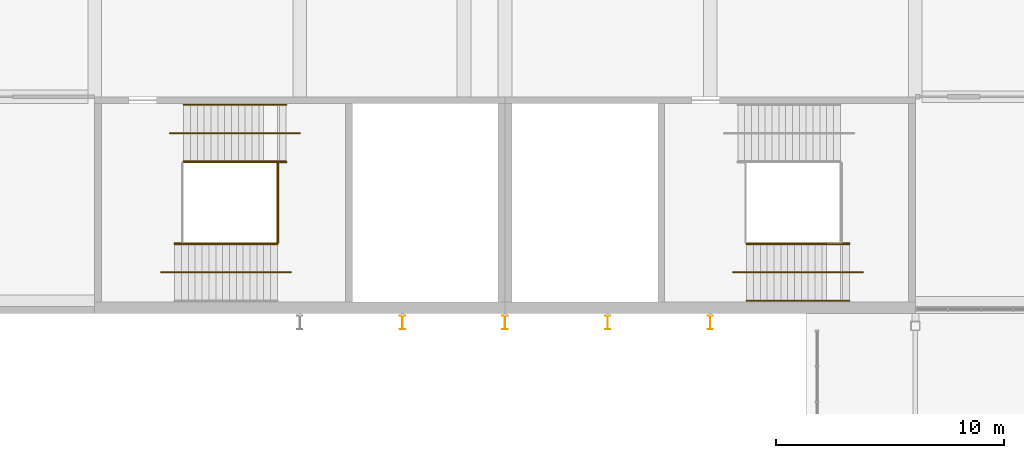
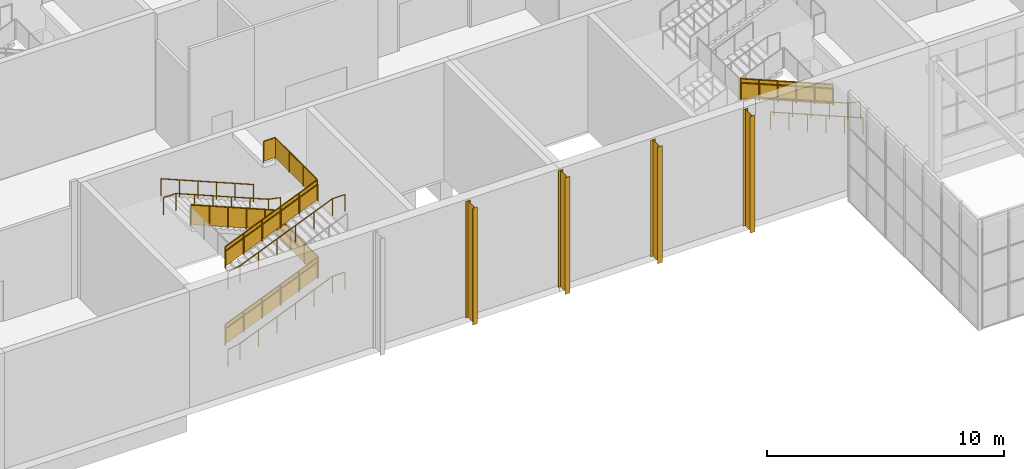
# One storey, part 68 of 89: 16 railings, 4 shading devices.
"""IFC4 building model written with IfcOpenShell, lengths in metres."""

from ifc_helpers import new_model, si_unit, direction, frame, origin, origin_2d, place, context, subcontext, project, spatial, polyline, circle, i_section, outline, extrude, material, material_profile, profile_set, type_object, element, save


model = new_model("IFC4")

# Units and contexts
model_context = context("Model", 3, precision=1e-05, world=origin(), true_north=direction((0.0, 1.0)))
body_context = subcontext(model_context, "Body", "Model", "MODEL_VIEW")
ifc_project = project(units=[si_unit("LENGTHUNIT", "METRE"), si_unit("AREAUNIT", "SQUARE_METRE"), si_unit("VOLUMEUNIT", "CUBIC_METRE"), si_unit("PLANEANGLEUNIT", "RADIAN"), si_unit("MASSUNIT", "GRAM", prefix="KILO")], contexts=[model_context])

# Site, building, storey
site_placement = place(None, origin())
site = spatial("IfcSite", under=ifc_project, at=site_placement, CompositionType="ELEMENT")
building_placement = place(site_placement, origin())
building = spatial("IfcBuilding", under=site, at=building_placement, Name="Silverbay Arena", CompositionType="ELEMENT")
storey_placement = place(building_placement, frame((0.0, 0.0, 22.0)))
storey = spatial("IfcBuildingStorey", under=building, at=storey_placement, Name="L03", CompositionType="ELEMENT", Elevation=22.0)

# Railings
ifc_material_1 = material(Name="Stainless steel", Category="steel")
railing_type_1 = type_object("IfcRailingType", Name="Stair guard 1100", PredefinedType="GUARDRAIL", material=ifc_material_1)
railing_1_placement = place(storey_placement, frame((84.510009765625, 20.574951171875, 0.125)))
element("IfcRailing", 1, at=railing_1_placement, inside=storey, type_object=railing_type_1, Name="Stair ST-S1 L03 to L04 flight 1 guard left", PredefinedType="GUARDRAIL", context=body_context, shape_type="SweptSolid", body=[
    extrude(circle(Radius=0.02392578125, at=origin_2d()), frame((0.0, 0.0, 1.076171875), z_axis=(0.923076923077, 0.0, 0.384615384615), x_axis=(0.0, 1.0, 0.0)), (0.0, 0.0, 1.0), 4.875),
    extrude(outline(polyline([(-0.008056640625, 0.046630859375), (0.907958984375, 0.42822265625), (0.907958984375, 1.431396484375), (-0.008056640625, 1.049560546875), (-0.008056640625, 0.046630859375)])), frame((0.0, 0.0029296875, 0.0), z_axis=(0.0, -1.0, 0.0), x_axis=(1.0, 0.0, 0.0)), (0.0, 0.0, 1.0), 0.006103515625),
    extrude(outline(polyline([(-0.008056640625, 0.421630859375), (0.907958984375, 0.80322265625), (0.907958984375, 1.806396484375), (-0.008056640625, 1.424560546875), (-0.008056640625, 0.421630859375)])), frame((0.89990234375, 0.0029296875, 0.0), z_axis=(0.0, -1.0, 0.0), x_axis=(1.0, 0.0, 0.0)), (0.0, 0.0, 1.0), 0.006103515625),
    extrude(outline(polyline([(-0.008056640625, 0.796630859375), (0.907958984375, 1.17822265625), (0.907958984375, 2.181396484375), (-0.008056640625, 1.799560546875), (-0.008056640625, 0.796630859375)])), frame((1.800048828125, 0.0029296875, 0.0), z_axis=(0.0, -1.0, 0.0), x_axis=(1.0, 0.0, 0.0)), (0.0, 0.0, 1.0), 0.006103515625),
    extrude(outline(polyline([(-0.008056640625, 1.171630859375), (0.907958984375, 1.55322265625), (0.907958984375, 2.556396484375), (-0.008056640625, 2.174560546875), (-0.008056640625, 1.171630859375)])), frame((2.699951171875, 0.0029296875, 0.0), z_axis=(0.0, -1.0, 0.0), x_axis=(1.0, 0.0, 0.0)), (0.0, 0.0, 1.0), 0.006103515625),
    extrude(outline(polyline([(-0.008056640625, 1.546630859375), (0.907958984375, 1.92822265625), (0.907958984375, 2.931396484375), (-0.008056640625, 2.549560546875), (-0.008056640625, 1.546630859375)])), frame((3.60009765625, 0.0029296875, 0.0), z_axis=(0.0, -1.0, 0.0), x_axis=(1.0, 0.0, 0.0)), (0.0, 0.0, 1.0), 0.006103515625),
    extrude(circle(Radius=0.02099609375, at=origin_2d()), origin(), (0.0, 0.0, 1.0), 1.052001953125),
    extrude(circle(Radius=0.02099609375, at=origin_2d()), frame((0.89990234375, 0.0, 0.375)), (0.0, 0.0, 1.0), 1.052001953125),
    extrude(circle(Radius=0.02099609375, at=origin_2d()), frame((1.800048828125, 0.0, 0.75)), (0.0, 0.0, 1.0), 1.052001953125),
    extrude(circle(Radius=0.02099609375, at=origin_2d()), frame((2.699951171875, 0.0, 1.125)), (0.0, 0.0, 1.0), 1.052001953125),
    extrude(circle(Radius=0.02099609375, at=origin_2d()), frame((3.60009765625, 0.0, 1.5)), (0.0, 0.0, 1.0), 1.052001953125),
    extrude(circle(Radius=0.02099609375, at=origin_2d()), frame((4.5, 0.0, 1.875)), (0.0, 0.0, 1.0), 1.052001953125),
])
railing_2_placement = place(storey_placement, frame((89.39990234375, 24.125, 2.125)))
element("IfcRailing", 2, at=railing_2_placement, inside=storey, type_object=railing_type_1, Name="Stair ST-S1 L03 to L04 flight 2 guard right", PredefinedType="GUARDRAIL", context=body_context, shape_type="SweptSolid", body=[
    extrude(circle(Radius=0.02392578125, at=origin_2d()), frame((0.0, 0.0, 1.076171875), z_axis=(-0.923076923077, 0.0, 0.384615384615), x_axis=(0.0, -1.0, 0.0)), (0.0, 0.0, 1.0), 4.875),
    extrude(outline(polyline([(-0.008056640625, 0.046630859375), (0.907958984375, 0.42822265625), (0.907958984375, 1.431396484375), (-0.008056640625, 1.049560546875), (-0.008056640625, 0.046630859375)])), frame((0.0, -0.0029296875, 0.0), z_axis=(0.0, 1.0, 0.0), x_axis=(-1.0, 0.0, 0.0)), (0.0, 0.0, 1.0), 0.006103515625),
    extrude(outline(polyline([(-0.008056640625, 0.421630859375), (0.907958984375, 0.80322265625), (0.907958984375, 1.806396484375), (-0.008056640625, 1.424560546875), (-0.008056640625, 0.421630859375)])), frame((-0.89990234375, -0.0029296875, 0.0), z_axis=(0.0, 1.0, 0.0), x_axis=(-1.0, 0.0, 0.0)), (0.0, 0.0, 1.0), 0.006103515625),
    extrude(outline(polyline([(-0.008056640625, 0.796630859375), (0.907958984375, 1.17822265625), (0.907958984375, 2.181396484375), (-0.008056640625, 1.799560546875), (-0.008056640625, 0.796630859375)])), frame((-1.800048828125, -0.0029296875, 0.0), z_axis=(0.0, 1.0, 0.0), x_axis=(-1.0, 0.0, 0.0)), (0.0, 0.0, 1.0), 0.006103515625),
    extrude(outline(polyline([(-0.008056640625, 1.171630859375), (0.907958984375, 1.55322265625), (0.907958984375, 2.556396484375), (-0.008056640625, 2.174560546875), (-0.008056640625, 1.171630859375)])), frame((-2.699951171875, -0.0029296875, 0.0), z_axis=(0.0, 1.0, 0.0), x_axis=(-1.0, 0.0, 0.0)), (0.0, 0.0, 1.0), 0.006103515625),
    extrude(outline(polyline([(-0.008056640625, 1.546630859375), (0.907958984375, 1.92822265625), (0.907958984375, 2.931396484375), (-0.008056640625, 2.549560546875), (-0.008056640625, 1.546630859375)])), frame((-3.60009765625, -0.0029296875, 0.0), z_axis=(0.0, 1.0, 0.0), x_axis=(-1.0, 0.0, 0.0)), (0.0, 0.0, 1.0), 0.006103515625),
    extrude(circle(Radius=0.02099609375, at=origin_2d()), origin(), (0.0, 0.0, 1.0), 1.052001953125),
    extrude(circle(Radius=0.02099609375, at=origin_2d()), frame((-0.89990234375, 0.0, 0.375)), (0.0, 0.0, 1.0), 1.052001953125),
    extrude(circle(Radius=0.02099609375, at=origin_2d()), frame((-1.800048828125, 0.0, 0.75)), (0.0, 0.0, 1.0), 1.052001953125),
    extrude(circle(Radius=0.02099609375, at=origin_2d()), frame((-2.699951171875, 0.0, 1.125)), (0.0, 0.0, 1.0), 1.052001953125),
    extrude(circle(Radius=0.02099609375, at=origin_2d()), frame((-3.60009765625, 0.0, 1.5)), (0.0, 0.0, 1.0), 1.052001953125),
    extrude(circle(Radius=0.02099609375, at=origin_2d()), frame((-4.5, 0.0, 1.875)), (0.0, 0.0, 1.0), 1.052001953125),
])
railing_3_placement = place(storey_placement, frame((84.510009765625, 20.574951171875, 4.125)))
element("IfcRailing", 3, at=railing_3_placement, inside=storey, type_object=railing_type_1, Name="Stair ST-S1 L03 to L04 flight 3 guard left", PredefinedType="GUARDRAIL", context=body_context, shape_type="SweptSolid", body=[
    extrude(circle(Radius=0.02392578125, at=origin_2d()), frame((0.0, 0.0, 1.076171875), z_axis=(0.923076923077, 0.0, 0.384615384615), x_axis=(0.0, 1.0, 0.0)), (0.0, 0.0, 1.0), 4.875),
    extrude(outline(polyline([(-0.008056640625, 0.046630859375), (0.907958984375, 0.42822265625), (0.907958984375, 1.431396484375), (-0.008056640625, 1.049560546875), (-0.008056640625, 0.046630859375)])), frame((0.0, 0.0029296875, 0.0), z_axis=(0.0, -1.0, 0.0), x_axis=(1.0, 0.0, 0.0)), (0.0, 0.0, 1.0), 0.006103515625),
    extrude(outline(polyline([(-0.008056640625, 0.421630859375), (0.907958984375, 0.80322265625), (0.907958984375, 1.806396484375), (-0.008056640625, 1.424560546875), (-0.008056640625, 0.421630859375)])), frame((0.89990234375, 0.0029296875, 0.0), z_axis=(0.0, -1.0, 0.0), x_axis=(1.0, 0.0, 0.0)), (0.0, 0.0, 1.0), 0.006103515625),
    extrude(outline(polyline([(-0.008056640625, 0.796630859375), (0.907958984375, 1.17822265625), (0.907958984375, 2.181396484375), (-0.008056640625, 1.799560546875), (-0.008056640625, 0.796630859375)])), frame((1.800048828125, 0.0029296875, 0.0), z_axis=(0.0, -1.0, 0.0), x_axis=(1.0, 0.0, 0.0)), (0.0, 0.0, 1.0), 0.006103515625),
    extrude(outline(polyline([(-0.008056640625, 1.171630859375), (0.907958984375, 1.55322265625), (0.907958984375, 2.556396484375), (-0.008056640625, 2.174560546875), (-0.008056640625, 1.171630859375)])), frame((2.699951171875, 0.0029296875, 0.0), z_axis=(0.0, -1.0, 0.0), x_axis=(1.0, 0.0, 0.0)), (0.0, 0.0, 1.0), 0.006103515625),
    extrude(outline(polyline([(-0.008056640625, 1.546630859375), (0.907958984375, 1.92822265625), (0.907958984375, 2.931396484375), (-0.008056640625, 2.549560546875), (-0.008056640625, 1.546630859375)])), frame((3.60009765625, 0.0029296875, 0.0), z_axis=(0.0, -1.0, 0.0), x_axis=(1.0, 0.0, 0.0)), (0.0, 0.0, 1.0), 0.006103515625),
    extrude(circle(Radius=0.02099609375, at=origin_2d()), origin(), (0.0, 0.0, 1.0), 1.052001953125),
    extrude(circle(Radius=0.02099609375, at=origin_2d()), frame((0.89990234375, 0.0, 0.375)), (0.0, 0.0, 1.0), 1.052001953125),
    extrude(circle(Radius=0.02099609375, at=origin_2d()), frame((1.800048828125, 0.0, 0.75)), (0.0, 0.0, 1.0), 1.052001953125),
    extrude(circle(Radius=0.02099609375, at=origin_2d()), frame((2.699951171875, 0.0, 1.125)), (0.0, 0.0, 1.0), 1.052001953125),
    extrude(circle(Radius=0.02099609375, at=origin_2d()), frame((3.60009765625, 0.0, 1.5)), (0.0, 0.0, 1.0), 1.052001953125),
    extrude(circle(Radius=0.02099609375, at=origin_2d()), frame((4.5, 0.0, 1.875)), (0.0, 0.0, 1.0), 1.052001953125),
])
railing_4_placement = place(storey_placement, frame((89.06005859375, 24.10009765625, 2.0)))
element("IfcRailing", 4, at=railing_4_placement, inside=storey, type_object=railing_type_1, Name="Stair ST-S1 L03 to L04 landing 1 guard", PredefinedType="GUARDRAIL", context=body_context, shape_type="SweptSolid", body=[
    extrude(circle(Radius=0.02392578125, at=origin_2d()), frame((0.0, 0.0, 1.076171875), z_axis=(0.0, -1.0, 0.0), x_axis=(1.0, 0.0, 0.0)), (0.0, 0.0, 1.0), 3.5),
    extrude(outline(polyline([(-0.008056640625, 0.050048828125), (1.174560546875, 0.050048828125), (1.174560546875, 1.052978515625), (-0.008056640625, 1.052978515625), (-0.008056640625, 0.050048828125)])), frame((0.0029296875, 0.0, 0.0), z_axis=(-1.0, 0.0, 0.0), x_axis=(0.0, -1.0, 0.0)), (0.0, 0.0, 1.0), 0.006103515625),
    extrude(outline(polyline([(-0.008056640625, 0.050048828125), (1.174560546875, 0.050048828125), (1.174560546875, 1.052978515625), (-0.008056640625, 1.052978515625), (-0.008056640625, 0.050048828125)])), frame((0.0029296875, -1.166748046875, 0.0), z_axis=(-1.0, 0.0, 0.0), x_axis=(0.0, -1.0, 0.0)), (0.0, 0.0, 1.0), 0.006103515625),
    extrude(outline(polyline([(-0.008056640625, 0.050048828125), (1.174560546875, 0.050048828125), (1.174560546875, 1.052978515625), (-0.008056640625, 1.052978515625), (-0.008056640625, 0.050048828125)])), frame((0.0029296875, -2.333251953125, 0.0), z_axis=(-1.0, 0.0, 0.0), x_axis=(0.0, -1.0, 0.0)), (0.0, 0.0, 1.0), 0.006103515625),
    extrude(circle(Radius=0.02099609375, at=origin_2d()), origin(), (0.0, 0.0, 1.0), 1.052001953125),
    extrude(circle(Radius=0.02099609375, at=origin_2d()), frame((0.0, -1.166748046875, 0.0)), (0.0, 0.0, 1.0), 1.052001953125),
    extrude(circle(Radius=0.02099609375, at=origin_2d()), frame((0.0, -2.333251953125, 0.0)), (0.0, 0.0, 1.0), 1.052001953125),
    extrude(circle(Radius=0.02099609375, at=origin_2d()), frame((0.0, -3.5, 0.0)), (0.0, 0.0, 1.0), 1.052001953125),
])
railing_5_placement = place(storey_placement, frame((88.449951171875, 24.14990234375, 6.0)))
element("IfcRailing", 5, at=railing_5_placement, inside=storey, type_object=railing_type_1, Name="Stair ST-S1 L03 to L04 landing 3 guard", PredefinedType="GUARDRAIL", context=body_context, shape_type="SweptSolid", body=[
    extrude(circle(Radius=0.02392578125, at=origin_2d()), frame((0.0, 0.0, 1.076171875), z_axis=(1.0, 0.0, 0.0), x_axis=(0.0, 1.0, 0.0)), (0.0, 0.0, 1.0), 0.56005859375),
    extrude(outline(polyline([(-0.008056640625, 0.050048828125), (0.568115234375, 0.050048828125), (0.568115234375, 1.052978515625), (-0.008056640625, 1.052978515625), (-0.008056640625, 0.050048828125)])), frame((0.0, 0.0029296875, 0.0), z_axis=(0.0, -1.0, 0.0), x_axis=(1.0, 0.0, 0.0)), (0.0, 0.0, 1.0), 0.006103515625),
    extrude(circle(Radius=0.02392578125, at=origin_2d()), frame((0.56005859375, 0.0, 1.076171875), z_axis=(0.0, -1.0, 0.0), x_axis=(1.0, 0.0, 0.0)), (0.0, 0.0, 1.0), 3.5498046875),
    extrude(outline(polyline([(-0.008056640625, 0.050048828125), (1.191162109375, 0.050048828125), (1.191162109375, 1.052978515625), (-0.008056640625, 1.052978515625), (-0.008056640625, 0.050048828125)])), frame((0.56298828125, 0.0, 0.0), z_axis=(-1.0, 0.0, 0.0), x_axis=(0.0, -1.0, 0.0)), (0.0, 0.0, 1.0), 0.006103515625),
    extrude(outline(polyline([(-0.008056640625, 0.050048828125), (1.191162109375, 0.050048828125), (1.191162109375, 1.052978515625), (-0.008056640625, 1.052978515625), (-0.008056640625, 0.050048828125)])), frame((0.56298828125, -1.183349609375, 0.0), z_axis=(-1.0, 0.0, 0.0), x_axis=(0.0, -1.0, 0.0)), (0.0, 0.0, 1.0), 0.006103515625),
    extrude(outline(polyline([(-0.008056640625, 0.050048828125), (1.191162109375, 0.050048828125), (1.191162109375, 1.052978515625), (-0.008056640625, 1.052978515625), (-0.008056640625, 0.050048828125)])), frame((0.56298828125, -2.366455078125, 0.0), z_axis=(-1.0, 0.0, 0.0), x_axis=(0.0, -1.0, 0.0)), (0.0, 0.0, 1.0), 0.006103515625),
    extrude(circle(Radius=0.02099609375, at=origin_2d()), origin(), (0.0, 0.0, 1.0), 1.052001953125),
    extrude(circle(Radius=0.02099609375, at=origin_2d()), frame((0.56005859375, 0.0, 0.0)), (0.0, 0.0, 1.0), 1.052001953125),
    extrude(circle(Radius=0.02099609375, at=origin_2d()), frame((0.56005859375, -1.183349609375, 0.0)), (0.0, 0.0, 1.0), 1.052001953125),
    extrude(circle(Radius=0.02099609375, at=origin_2d()), frame((0.56005859375, -2.366455078125, 0.0)), (0.0, 0.0, 1.0), 1.052001953125),
    extrude(circle(Radius=0.02099609375, at=origin_2d()), frame((0.56005859375, -3.5498046875, 0.0)), (0.0, 0.0, 1.0), 1.052001953125),
])
railing_6_placement = place(storey_placement, frame((114.10009765625, 20.574951171875, 2.125)))
element("IfcRailing", 6, at=railing_6_placement, inside=storey, type_object=railing_type_1, Name="Stair ST-S2 L03 to L04 flight 2 guard left", PredefinedType="GUARDRAIL", context=body_context, shape_type="SweptSolid", body=[
    extrude(circle(Radius=0.02392578125, at=origin_2d()), frame((0.0, 0.0, 1.076171875), z_axis=(-0.923076923077, 0.0, 0.384615384615), x_axis=(0.0, -1.0, 0.0)), (0.0, 0.0, 1.0), 4.875),
    extrude(outline(polyline([(-0.008056640625, 0.046630859375), (0.907958984375, 0.42822265625), (0.907958984375, 1.431396484375), (-0.008056640625, 1.049560546875), (-0.008056640625, 0.046630859375)])), frame((0.0, -0.0029296875, 0.0), z_axis=(0.0, 1.0, 0.0), x_axis=(-1.0, 0.0, 0.0)), (0.0, 0.0, 1.0), 0.006103515625),
    extrude(outline(polyline([(-0.008056640625, 0.421630859375), (0.907958984375, 0.80322265625), (0.907958984375, 1.806396484375), (-0.008056640625, 1.424560546875), (-0.008056640625, 0.421630859375)])), frame((-0.89990234375, -0.0029296875, 0.0), z_axis=(0.0, 1.0, 0.0), x_axis=(-1.0, 0.0, 0.0)), (0.0, 0.0, 1.0), 0.006103515625),
    extrude(outline(polyline([(-0.008056640625, 0.796630859375), (0.907958984375, 1.17822265625), (0.907958984375, 2.181396484375), (-0.008056640625, 1.799560546875), (-0.008056640625, 0.796630859375)])), frame((-1.800048828125, -0.0029296875, 0.0), z_axis=(0.0, 1.0, 0.0), x_axis=(-1.0, 0.0, 0.0)), (0.0, 0.0, 1.0), 0.006103515625),
    extrude(outline(polyline([(-0.008056640625, 1.171630859375), (0.907958984375, 1.55322265625), (0.907958984375, 2.556396484375), (-0.008056640625, 2.174560546875), (-0.008056640625, 1.171630859375)])), frame((-2.699951171875, -0.0029296875, 0.0), z_axis=(0.0, 1.0, 0.0), x_axis=(-1.0, 0.0, 0.0)), (0.0, 0.0, 1.0), 0.006103515625),
    extrude(outline(polyline([(-0.008056640625, 1.546630859375), (0.907958984375, 1.92822265625), (0.907958984375, 2.931396484375), (-0.008056640625, 2.549560546875), (-0.008056640625, 1.546630859375)])), frame((-3.60009765625, -0.0029296875, 0.0), z_axis=(0.0, 1.0, 0.0), x_axis=(-1.0, 0.0, 0.0)), (0.0, 0.0, 1.0), 0.006103515625),
    extrude(circle(Radius=0.02099609375, at=origin_2d()), origin(), (0.0, 0.0, 1.0), 1.052001953125),
    extrude(circle(Radius=0.02099609375, at=origin_2d()), frame((-0.89990234375, 0.0, 0.375)), (0.0, 0.0, 1.0), 1.052001953125),
    extrude(circle(Radius=0.02099609375, at=origin_2d()), frame((-1.800048828125, 0.0, 0.75)), (0.0, 0.0, 1.0), 1.052001953125),
    extrude(circle(Radius=0.02099609375, at=origin_2d()), frame((-2.699951171875, 0.0, 1.125)), (0.0, 0.0, 1.0), 1.052001953125),
    extrude(circle(Radius=0.02099609375, at=origin_2d()), frame((-3.60009765625, 0.0, 1.5)), (0.0, 0.0, 1.0), 1.052001953125),
    extrude(circle(Radius=0.02099609375, at=origin_2d()), frame((-4.5, 0.0, 1.875)), (0.0, 0.0, 1.0), 1.052001953125),
])
ifc_material_2 = material(Name="Stainless steel", Category="steel")
railing_type_2 = type_object("IfcRailingType", Name="Stair handrail 900", PredefinedType="HANDRAIL", material=ifc_material_2)
railing_7_placement = place(storey_placement, frame((84.510009765625, 20.535888671875, 0.125)))
element("IfcRailing", 7, at=railing_7_placement, inside=storey, type_object=railing_type_2, Name="Stair ST-S1 L03 to L04 flight 1 handrail left", PredefinedType="HANDRAIL", context=body_context, shape_type="SweptSolid", body=[
    extrude(circle(Radius=0.02392578125, at=origin_2d()), frame((0.0, 0.0, 0.8759765625), z_axis=(0.923076923077, 0.0, 0.384615384615), x_axis=(0.0, 1.0, 0.0)), (0.0, 0.0, 1.0), 4.875),
    extrude(circle(Radius=0.02099609375, at=origin_2d()), origin(), (0.0, 0.0, 1.0), 0.851806640625),
    extrude(circle(Radius=0.02099609375, at=origin_2d()), frame((0.89990234375, 0.0, 0.375)), (0.0, 0.0, 1.0), 0.851806640625),
    extrude(circle(Radius=0.02099609375, at=origin_2d()), frame((1.800048828125, 0.0, 0.75)), (0.0, 0.0, 1.0), 0.851806640625),
    extrude(circle(Radius=0.02099609375, at=origin_2d()), frame((2.699951171875, 0.0, 1.125)), (0.0, 0.0, 1.0), 0.851806640625),
    extrude(circle(Radius=0.02099609375, at=origin_2d()), frame((3.60009765625, 0.0, 1.5)), (0.0, 0.0, 1.0), 0.851806640625),
    extrude(circle(Radius=0.02099609375, at=origin_2d()), frame((4.5, 0.0, 1.875)), (0.0, 0.0, 1.0), 0.851806640625),
])
railing_8_placement = place(storey_placement, frame((83.909912109375, 19.300048828125, 0.0)))
element("IfcRailing", 8, at=railing_8_placement, inside=storey, type_object=railing_type_2, Name="Stair ST-S1 L03 to L04 flight 1 central handrail", PredefinedType="HANDRAIL", context=body_context, shape_type="SweptSolid", body=[
    extrude(circle(Radius=0.02392578125, at=origin_2d()), frame((0.0, 0.0, 0.8759765625), z_axis=(0.978987046276, 0.0, 0.203922444139), x_axis=(0.0, 1.0, 0.0)), (0.0, 0.0, 1.0), 0.613037109375),
    extrude(circle(Radius=0.02392578125, at=origin_2d()), frame((0.60009765625, 0.0, 1.0009765625), z_axis=(0.923076923077, 0.0, 0.384615384615), x_axis=(0.0, 1.0, 0.0)), (0.0, 0.0, 1.0), 4.875),
    extrude(circle(Radius=0.02392578125, at=origin_2d()), frame((5.10009765625, 0.0, 2.8759765625), z_axis=(1.0, 0.0, 0.0), x_axis=(0.0, 1.0, 0.0)), (0.0, 0.0, 1.0), 0.60009765625),
    extrude(circle(Radius=0.02099609375, at=origin_2d()), origin(), (0.0, 0.0, 1.0), 0.851806640625),
    extrude(circle(Radius=0.02099609375, at=origin_2d()), frame((0.60009765625, 0.0, 0.125)), (0.0, 0.0, 1.0), 0.851806640625),
    extrude(circle(Radius=0.02099609375, at=origin_2d()), frame((1.5, 0.0, 0.5)), (0.0, 0.0, 1.0), 0.851806640625),
    extrude(circle(Radius=0.02099609375, at=origin_2d()), frame((2.400146484375, 0.0, 0.875)), (0.0, 0.0, 1.0), 0.851806640625),
    extrude(circle(Radius=0.02099609375, at=origin_2d()), frame((3.300048828125, 0.0, 1.25)), (0.0, 0.0, 1.0), 0.851806640625),
    extrude(circle(Radius=0.02099609375, at=origin_2d()), frame((4.2001953125, 0.0, 1.625)), (0.0, 0.0, 1.0), 0.851806640625),
    extrude(circle(Radius=0.02099609375, at=origin_2d()), frame((5.10009765625, 0.0, 2.0)), (0.0, 0.0, 1.0), 0.851806640625),
    extrude(circle(Radius=0.02099609375, at=origin_2d()), frame((5.7001953125, 0.0, 2.0)), (0.0, 0.0, 1.0), 0.851806640625),
])
for number, where, name in (
    (9, (89.39990234375, 26.64990234375, 2.125), "Stair ST-S1 L03 to L04 flight 2 handrail left"),
    (10, (89.39990234375, 24.1640625, 2.125), "Stair ST-S1 L03 to L04 flight 2 handrail right"),
):
    element("IfcRailing", number, at=place(storey_placement, frame(where)), inside=storey, type_object=railing_type_2, Name=name, PredefinedType="HANDRAIL", context=body_context, shape_type="SweptSolid", body=[
        extrude(circle(Radius=0.02392578125, at=origin_2d()), frame((0.0, 0.0, 0.8759765625), z_axis=(-0.923076923077, 0.0, 0.384615384615), x_axis=(0.0, -1.0, 0.0)), (0.0, 0.0, 1.0), 4.875),
        extrude(circle(Radius=0.02099609375, at=origin_2d()), origin(), (0.0, 0.0, 1.0), 0.851806640625),
        extrude(circle(Radius=0.02099609375, at=origin_2d()), frame((-0.89990234375, 0.0, 0.375)), (0.0, 0.0, 1.0), 0.851806640625),
        extrude(circle(Radius=0.02099609375, at=origin_2d()), frame((-1.800048828125, 0.0, 0.75)), (0.0, 0.0, 1.0), 0.851806640625),
        extrude(circle(Radius=0.02099609375, at=origin_2d()), frame((-2.699951171875, 0.0, 1.125)), (0.0, 0.0, 1.0), 0.851806640625),
        extrude(circle(Radius=0.02099609375, at=origin_2d()), frame((-3.60009765625, 0.0, 1.5)), (0.0, 0.0, 1.0), 0.851806640625),
        extrude(circle(Radius=0.02099609375, at=origin_2d()), frame((-4.5, 0.0, 1.875)), (0.0, 0.0, 1.0), 0.851806640625),
    ])
railing_9_placement = place(storey_placement, frame((90.0, 25.39990234375, 2.0)))
element("IfcRailing", 11, at=railing_9_placement, inside=storey, type_object=railing_type_2, Name="Stair ST-S1 L03 to L04 flight 2 central handrail", PredefinedType="HANDRAIL", context=body_context, shape_type="SweptSolid", body=[
    extrude(circle(Radius=0.02392578125, at=origin_2d()), frame((0.0, 0.0, 0.8759765625), z_axis=(-0.978987046276, 0.0, 0.203922444139), x_axis=(0.0, -1.0, 0.0)), (0.0, 0.0, 1.0), 0.613037109375),
    extrude(circle(Radius=0.02392578125, at=origin_2d()), frame((-0.60009765625, 0.0, 1.0009765625), z_axis=(-0.923076923077, 0.0, 0.384615384615), x_axis=(0.0, -1.0, 0.0)), (0.0, 0.0, 1.0), 4.875),
    extrude(circle(Radius=0.02392578125, at=origin_2d()), frame((-5.10009765625, 0.0, 2.8759765625), z_axis=(-1.0, 0.0, 0.0), x_axis=(0.0, -1.0, 0.0)), (0.0, 0.0, 1.0), 0.599853515625),
    extrude(circle(Radius=0.02099609375, at=origin_2d()), origin(), (0.0, 0.0, 1.0), 0.851806640625),
    extrude(circle(Radius=0.02099609375, at=origin_2d()), frame((-0.60009765625, 0.0, 0.125)), (0.0, 0.0, 1.0), 0.851806640625),
    extrude(circle(Radius=0.02099609375, at=origin_2d()), frame((-1.5, 0.0, 0.5)), (0.0, 0.0, 1.0), 0.851806640625),
    extrude(circle(Radius=0.02099609375, at=origin_2d()), frame((-2.400146484375, 0.0, 0.875)), (0.0, 0.0, 1.0), 0.851806640625),
    extrude(circle(Radius=0.02099609375, at=origin_2d()), frame((-3.300048828125, 0.0, 1.25)), (0.0, 0.0, 1.0), 0.851806640625),
    extrude(circle(Radius=0.02099609375, at=origin_2d()), frame((-4.2001953125, 0.0, 1.625)), (0.0, 0.0, 1.0), 0.851806640625),
    extrude(circle(Radius=0.02099609375, at=origin_2d()), frame((-5.10009765625, 0.0, 2.0)), (0.0, 0.0, 1.0), 0.851806640625),
    extrude(circle(Radius=0.02099609375, at=origin_2d()), frame((-5.699951171875, 0.0, 2.0)), (0.0, 0.0, 1.0), 0.851806640625),
])
railing_10_placement = place(storey_placement, frame((84.510009765625, 20.535888671875, 4.125)))
element("IfcRailing", 12, at=railing_10_placement, inside=storey, type_object=railing_type_2, Name="Stair ST-S1 L03 to L04 flight 3 handrail left", PredefinedType="HANDRAIL", context=body_context, shape_type="SweptSolid", body=[
    extrude(circle(Radius=0.02392578125, at=origin_2d()), frame((0.0, 0.0, 0.8759765625), z_axis=(0.923076923077, 0.0, 0.384615384615), x_axis=(0.0, 1.0, 0.0)), (0.0, 0.0, 1.0), 4.875),
    extrude(circle(Radius=0.02099609375, at=origin_2d()), origin(), (0.0, 0.0, 1.0), 0.851806640625),
    extrude(circle(Radius=0.02099609375, at=origin_2d()), frame((0.89990234375, 0.0, 0.375)), (0.0, 0.0, 1.0), 0.851806640625),
    extrude(circle(Radius=0.02099609375, at=origin_2d()), frame((1.800048828125, 0.0, 0.75)), (0.0, 0.0, 1.0), 0.851806640625),
    extrude(circle(Radius=0.02099609375, at=origin_2d()), frame((2.699951171875, 0.0, 1.125)), (0.0, 0.0, 1.0), 0.851806640625),
    extrude(circle(Radius=0.02099609375, at=origin_2d()), frame((3.60009765625, 0.0, 1.5)), (0.0, 0.0, 1.0), 0.851806640625),
    extrude(circle(Radius=0.02099609375, at=origin_2d()), frame((4.5, 0.0, 1.875)), (0.0, 0.0, 1.0), 0.851806640625),
])
railing_11_placement = place(storey_placement, frame((83.909912109375, 19.300048828125, 4.0)))
element("IfcRailing", 13, at=railing_11_placement, inside=storey, type_object=railing_type_2, Name="Stair ST-S1 L03 to L04 flight 3 central handrail", PredefinedType="HANDRAIL", context=body_context, shape_type="SweptSolid", body=[
    extrude(circle(Radius=0.02392578125, at=origin_2d()), frame((0.0, 0.0, 0.8759765625), z_axis=(0.978987046276, 0.0, 0.203922444139), x_axis=(0.0, 1.0, 0.0)), (0.0, 0.0, 1.0), 0.613037109375),
    extrude(circle(Radius=0.02392578125, at=origin_2d()), frame((0.60009765625, 0.0, 1.0009765625), z_axis=(0.923076923077, 0.0, 0.384615384615), x_axis=(0.0, 1.0, 0.0)), (0.0, 0.0, 1.0), 4.875),
    extrude(circle(Radius=0.02392578125, at=origin_2d()), frame((5.10009765625, 0.0, 2.8759765625), z_axis=(1.0, 0.0, 0.0), x_axis=(0.0, 1.0, 0.0)), (0.0, 0.0, 1.0), 0.60009765625),
    extrude(circle(Radius=0.02099609375, at=origin_2d()), origin(), (0.0, 0.0, 1.0), 0.851806640625),
    extrude(circle(Radius=0.02099609375, at=origin_2d()), frame((0.60009765625, 0.0, 0.125)), (0.0, 0.0, 1.0), 0.851806640625),
    extrude(circle(Radius=0.02099609375, at=origin_2d()), frame((1.5, 0.0, 0.5)), (0.0, 0.0, 1.0), 0.851806640625),
    extrude(circle(Radius=0.02099609375, at=origin_2d()), frame((2.400146484375, 0.0, 0.875)), (0.0, 0.0, 1.0), 0.851806640625),
    extrude(circle(Radius=0.02099609375, at=origin_2d()), frame((3.300048828125, 0.0, 1.25)), (0.0, 0.0, 1.0), 0.851806640625),
    extrude(circle(Radius=0.02099609375, at=origin_2d()), frame((4.2001953125, 0.0, 1.625)), (0.0, 0.0, 1.0), 0.851806640625),
    extrude(circle(Radius=0.02099609375, at=origin_2d()), frame((5.10009765625, 0.0, 2.0)), (0.0, 0.0, 1.0), 0.851806640625),
    extrude(circle(Radius=0.02099609375, at=origin_2d()), frame((5.7001953125, 0.0, 2.0)), (0.0, 0.0, 1.0), 0.851806640625),
])
for number, where, name in (
    (14, (114.10009765625, 20.535888671875, 2.125), "Stair ST-S2 L03 to L04 flight 2 handrail left"),
    (15, (114.10009765625, 18.050048828125, 2.125), "Stair ST-S2 L03 to L04 flight 2 handrail right"),
):
    element("IfcRailing", number, at=place(storey_placement, frame(where)), inside=storey, type_object=railing_type_2, Name=name, PredefinedType="HANDRAIL", context=body_context, shape_type="SweptSolid", body=[
        extrude(circle(Radius=0.02392578125, at=origin_2d()), frame((0.0, 0.0, 0.8759765625), z_axis=(-0.923076923077, 0.0, 0.384615384615), x_axis=(0.0, -1.0, 0.0)), (0.0, 0.0, 1.0), 4.875),
        extrude(circle(Radius=0.02099609375, at=origin_2d()), origin(), (0.0, 0.0, 1.0), 0.851806640625),
        extrude(circle(Radius=0.02099609375, at=origin_2d()), frame((-0.89990234375, 0.0, 0.375)), (0.0, 0.0, 1.0), 0.851806640625),
        extrude(circle(Radius=0.02099609375, at=origin_2d()), frame((-1.800048828125, 0.0, 0.75)), (0.0, 0.0, 1.0), 0.851806640625),
        extrude(circle(Radius=0.02099609375, at=origin_2d()), frame((-2.699951171875, 0.0, 1.125)), (0.0, 0.0, 1.0), 0.851806640625),
        extrude(circle(Radius=0.02099609375, at=origin_2d()), frame((-3.60009765625, 0.0, 1.5)), (0.0, 0.0, 1.0), 0.851806640625),
        extrude(circle(Radius=0.02099609375, at=origin_2d()), frame((-4.5, 0.0, 1.875)), (0.0, 0.0, 1.0), 0.851806640625),
    ])
railing_12_placement = place(storey_placement, frame((114.699951171875, 19.300048828125, 2.0)))
element("IfcRailing", 16, at=railing_12_placement, inside=storey, type_object=railing_type_2, Name="Stair ST-S2 L03 to L04 flight 2 central handrail", PredefinedType="HANDRAIL", context=body_context, shape_type="SweptSolid", body=[
    extrude(circle(Radius=0.02392578125, at=origin_2d()), frame((0.0, 0.0, 0.8759765625), z_axis=(-0.978970474113, 0.0, 0.20400198728), x_axis=(0.0, -1.0, 0.0)), (0.0, 0.0, 1.0), 0.61279296875),
    extrude(circle(Radius=0.02392578125, at=origin_2d()), frame((-0.599853515625, 0.0, 1.0009765625), z_axis=(-0.923076923077, 0.0, 0.384615384615), x_axis=(0.0, -1.0, 0.0)), (0.0, 0.0, 1.0), 4.875),
    extrude(circle(Radius=0.02392578125, at=origin_2d()), frame((-5.099853515625, 0.0, 2.8759765625), z_axis=(-1.0, 0.0, 0.0), x_axis=(0.0, -1.0, 0.0)), (0.0, 0.0, 1.0), 0.60009765625),
    extrude(circle(Radius=0.02099609375, at=origin_2d()), origin(), (0.0, 0.0, 1.0), 0.851806640625),
    extrude(circle(Radius=0.02099609375, at=origin_2d()), frame((-0.599853515625, 0.0, 0.125)), (0.0, 0.0, 1.0), 0.851806640625),
    extrude(circle(Radius=0.02099609375, at=origin_2d()), frame((-1.499755859375, 0.0, 0.5)), (0.0, 0.0, 1.0), 0.851806640625),
    extrude(circle(Radius=0.02099609375, at=origin_2d()), frame((-2.39990234375, 0.0, 0.875)), (0.0, 0.0, 1.0), 0.851806640625),
    extrude(circle(Radius=0.02099609375, at=origin_2d()), frame((-3.2998046875, 0.0, 1.25)), (0.0, 0.0, 1.0), 0.851806640625),
    extrude(circle(Radius=0.02099609375, at=origin_2d()), frame((-4.199951171875, 0.0, 1.625)), (0.0, 0.0, 1.0), 0.851806640625),
    extrude(circle(Radius=0.02099609375, at=origin_2d()), frame((-5.099853515625, 0.0, 2.0)), (0.0, 0.0, 1.0), 0.851806640625),
    extrude(circle(Radius=0.02099609375, at=origin_2d()), frame((-5.699951171875, 0.0, 2.0)), (0.0, 0.0, 1.0), 0.851806640625),
])

# Shading devices
ifc_material_3 = material(Name="Steel S355", Category="steel")
ifc_material_profile = material_profile(ifc_material_3, i_section(OverallWidth=0.2275390625, OverallDepth=0.6025390625, WebThickness=0.010498046875, FlangeThickness=0.014892578125, at=origin_2d()), Name="UB 610x229x101")
ifc_profile_set = profile_set([ifc_material_profile], Name="Steel S355")
shading_device_type = type_object("IfcShadingDeviceType", Name="Steel fin UB 610x229x101", PredefinedType="USERDEFINED", material=ifc_profile_set)
for number, where, z_axis, x_axis, name in (
    (17, (94.5, 17.0986328125, 0.0), (0.0, 0.0, 1.0), (1.0, 0.0, 0.0), "Steel fin S L03 9"),
    (18, (99.0, 17.0986328125, 0.0), (0.0, 0.0, 1.0), (1.0, 0.0, 0.0), "Steel fin S L03 10"),
    (19, (103.5, 17.0986328125, 0.0), (0.0, 0.0, 1.0), (1.0, 0.0, 0.0), "Steel fin S L03 11"),
    (20, (108.0, 17.0986328125, 0.0), (0.0, 0.0, 1.0), (1.0, 0.0, 0.0), "Steel fin S L03 12"),
):
    element("IfcShadingDevice", number, at=place(storey_placement, frame(where, z_axis=z_axis, x_axis=x_axis)), inside=storey, type_object=shading_device_type, Name=name, ObjectType="FIN", PredefinedType="USERDEFINED", context=body_context, shape_type="SweptSolid", body=[
        extrude(i_section(OverallWidth=0.2275390625, OverallDepth=0.6025390625, WebThickness=0.010498046875, FlangeThickness=0.014892578125, at=origin_2d()), origin(), (0.0, 0.0, 1.0), 6.0),
    ])

save(model, "model.ifc")
